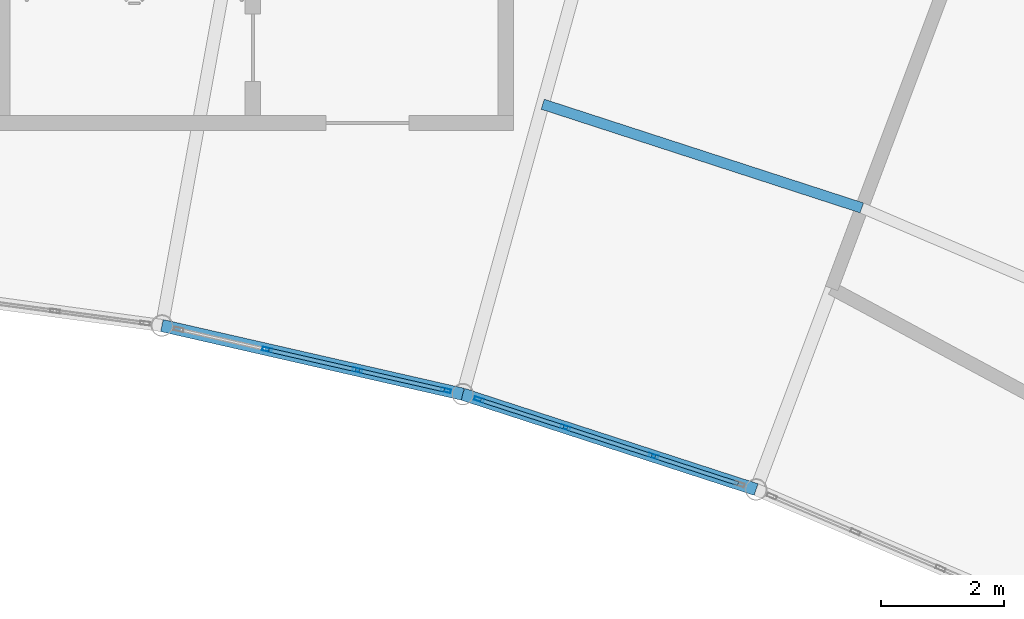
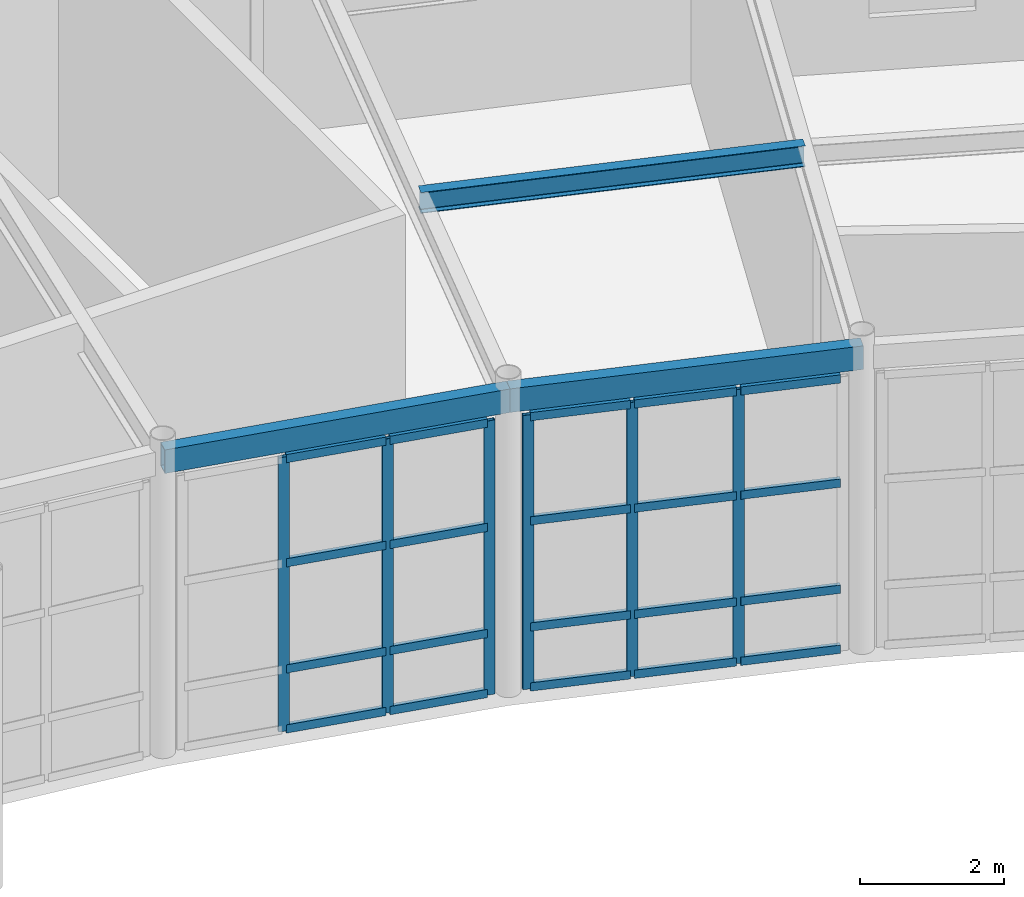
# One storey, part 49 of 87: 26 members, 3 beams, 2 elements without a shape of their own.
"""IFC4 building model written with IfcOpenShell, lengths in metres."""

from ifc_helpers import new_model, si_unit, direction, frame, origin, origin_2d, place, context, subcontext, project, spatial, hollow_rectangle, i_section, extrude, material, layer, layer_set, material_profile, profile_set, type_object, element, aggregate, save


model = new_model("IFC4")

# Units and contexts
model_context = context("Model", 3, precision=1e-05, world=origin(), true_north=direction((0.0, 1.0)))
body_context = subcontext(model_context, "Body", "Model", "MODEL_VIEW")
ifc_project = project(units=[si_unit("LENGTHUNIT", "METRE"), si_unit("AREAUNIT", "SQUARE_METRE"), si_unit("VOLUMEUNIT", "CUBIC_METRE"), si_unit("PLANEANGLEUNIT", "RADIAN"), si_unit("MASSUNIT", "GRAM", prefix="KILO")], contexts=[model_context])

# Site, building, storey
site_placement = place(None, origin())
site = spatial("IfcSite", under=ifc_project, at=site_placement, CompositionType="ELEMENT")
building_placement = place(site_placement, origin())
building = spatial("IfcBuilding", under=site, at=building_placement, Name="Selat Folded Stagehouse", CompositionType="ELEMENT")
storey_placement = place(building_placement, origin())
storey = spatial("IfcBuildingStorey", under=building, at=storey_placement, Name="L00", CompositionType="ELEMENT", Elevation=0.0)

# Curtain wall, members
ifc_material_1 = material(Name="Aluminium 6063-T6", Category="aluminium")
ifc_layer = layer(ifc_material_1, 0.18994140625)
ifc_layer_set = layer_set([ifc_layer], Name="Aluminium 6063-T6")
curtain_wall_type = type_object("IfcCurtainWallType", Name="CW-REH-ARC", PredefinedType="NOTDEFINED", material=ifc_layer_set)
curtain_wall_1_placement = place(storey_placement, origin())
curtain_wall_1 = element("IfcCurtainWall", 1, at=curtain_wall_1_placement, inside=storey, type_object=curtain_wall_type, Name="L00 curtain wall CW-REH-L00-09", PredefinedType="NOTDEFINED")
ifc_material_profile_1 = material_profile(ifc_material_1, hollow_rectangle(XDim=0.06005859375, YDim=0.159912109375, WallThickness=0.00390625, at=origin_2d()), Name="ALU 160x60x4.0")
ifc_profile_set_1 = profile_set([ifc_material_profile_1], Name="Aluminium 6063-T6")
member_type_1 = type_object("IfcMemberType", Name="CWM-MUL-160x60", PredefinedType="MULLION", material=ifc_profile_set_1)
member_1_placement = place(storey_placement, frame((107.025146484375, 92.044189453125, 0.0), z_axis=(0.0, 0.0, 1.0), x_axis=(-0.222542761079, -0.974922930026, 0.0)))
member_1 = element("IfcMember", 2, at=member_1_placement, type_object=member_type_1, Name="CW-06 mullion 1", PredefinedType="MULLION", context=body_context, shape_type="SweptSolid", body=[
    extrude(hollow_rectangle(XDim=0.06005859375, YDim=0.159912109375, WallThickness=0.00390625, at=origin_2d()), origin(), (0.0, 0.0, 1.0), 4.64990234375),
])
member_2_placement = place(storey_placement, frame((105.583984375, 92.373046875, 0.0), z_axis=(0.0, 0.0, 1.0), x_axis=(-0.222542761079, -0.974922930026, 0.0)))
member_2 = element("IfcMember", 3, at=member_2_placement, type_object=member_type_1, Name="CW-06 mullion 2", PredefinedType="MULLION", context=body_context, shape_type="SweptSolid", body=[
    extrude(hollow_rectangle(XDim=0.06005859375, YDim=0.159912109375, WallThickness=0.00390625, at=origin_2d()), origin(), (0.0, 0.0, 1.0), 4.64990234375),
])
member_3_placement = place(storey_placement, frame((104.11328125, 92.708740234375, 0.0), z_axis=(0.0, 0.0, 1.0), x_axis=(-0.222542761079, -0.974922930026, 0.0)))
member_3 = element("IfcMember", 4, at=member_3_placement, type_object=member_type_1, Name="CW-06 mullion 3", PredefinedType="MULLION", context=body_context, shape_type="SweptSolid", body=[
    extrude(hollow_rectangle(XDim=0.06005859375, YDim=0.159912109375, WallThickness=0.00390625, at=origin_2d()), origin(), (0.0, 0.0, 1.0), 4.64990234375),
])

curtain_wall_2_placement = place(storey_placement, origin())
curtain_wall_2 = element("IfcCurtainWall", 5, at=curtain_wall_2_placement, inside=storey, type_object=curtain_wall_type, Name="L00 curtain wall CW-REH-L00-10", PredefinedType="NOTDEFINED")
member_4_placement = place(storey_placement, frame((110.40478515625, 90.972412109375, 0.0), z_axis=(0.0, 0.0, 1.0), x_axis=(-0.308991620714, -0.951064760323, 0.0)))
member_4 = element("IfcMember", 6, at=member_4_placement, type_object=member_type_1, Name="CW-06 mullion 2", PredefinedType="MULLION", context=body_context, shape_type="SweptSolid", body=[
    extrude(hollow_rectangle(XDim=0.06005859375, YDim=0.159912109375, WallThickness=0.00390625, at=origin_2d()), origin(), (0.0, 0.0, 1.0), 4.64990234375),
])
member_5_placement = place(storey_placement, frame((108.97021484375, 91.4384765625, 0.0), z_axis=(0.0, 0.0, 1.0), x_axis=(-0.308991620714, -0.951064760323, 0.0)))
member_5 = element("IfcMember", 7, at=member_5_placement, type_object=member_type_1, Name="CW-06 mullion 3", PredefinedType="MULLION", context=body_context, shape_type="SweptSolid", body=[
    extrude(hollow_rectangle(XDim=0.06005859375, YDim=0.159912109375, WallThickness=0.00390625, at=origin_2d()), origin(), (0.0, 0.0, 1.0), 4.64990234375),
])
member_6_placement = place(storey_placement, frame((107.564453125, 91.895263671875, 0.0), z_axis=(0.0, 0.0, 1.0), x_axis=(-0.308991620714, -0.951064760323, 0.0)))
member_6 = element("IfcMember", 8, at=member_6_placement, type_object=member_type_1, Name="CW-06 mullion 4", PredefinedType="MULLION", context=body_context, shape_type="SweptSolid", body=[
    extrude(hollow_rectangle(XDim=0.06005859375, YDim=0.159912109375, WallThickness=0.00390625, at=origin_2d()), origin(), (0.0, 0.0, 1.0), 4.64990234375),
])

# Member
ifc_material_profile_2 = material_profile(ifc_material_1, hollow_rectangle(XDim=0.06494140625, YDim=0.139892578125, WallThickness=0.00390625, at=origin_2d()), Name="ALU 140x65x4.0")
ifc_profile_set_2 = profile_set([ifc_material_profile_2], Name="Aluminium 6063-T6")
member_type_2 = type_object("IfcMemberType", Name="CWM-TRN-140x65", PredefinedType="USERDEFINED", material=ifc_profile_set_2)
member_7_placement = place(storey_placement, frame((106.995849609375, 92.05078125, 0.032470703125), z_axis=(-0.974919361771, 0.222558392438, 0.0), x_axis=(-0.222558392438, -0.974919361771, 0.0)))
member_7 = element("IfcMember", 9, at=member_7_placement, type_object=member_type_2, Name="CW-06 transom 1.1", ObjectType="TRANSOM", PredefinedType="USERDEFINED", context=body_context, shape_type="SweptSolid", body=[
    extrude(hollow_rectangle(XDim=0.06494140625, YDim=0.139892578125, WallThickness=0.00390625, at=origin_2d()), origin(), (0.0, 0.0, 1.0), 1.41845703125),
])

member_8_placement = place(storey_placement, frame((106.995849609375, 92.05078125, 1.050048828125), z_axis=(-0.974919361771, 0.222558392438, 0.0), x_axis=(-0.222558392438, -0.974919361771, 0.0)))
member_8 = element("IfcMember", 10, at=member_8_placement, type_object=member_type_2, Name="CW-06 transom 1.2", ObjectType="TRANSOM", PredefinedType="USERDEFINED", context=body_context, shape_type="SweptSolid", body=[
    extrude(hollow_rectangle(XDim=0.06494140625, YDim=0.139892578125, WallThickness=0.00390625, at=origin_2d()), origin(), (0.0, 0.0, 1.0), 1.41845703125),
])

member_9_placement = place(storey_placement, frame((106.995849609375, 92.05078125, 2.85009765625), z_axis=(-0.974919361771, 0.222558392438, 0.0), x_axis=(-0.222558392438, -0.974919361771, 0.0)))
member_9 = element("IfcMember", 11, at=member_9_placement, type_object=member_type_2, Name="CW-06 transom 1.3", ObjectType="TRANSOM", PredefinedType="USERDEFINED", context=body_context, shape_type="SweptSolid", body=[
    extrude(hollow_rectangle(XDim=0.06494140625, YDim=0.139892578125, WallThickness=0.00390625, at=origin_2d()), origin(), (0.0, 0.0, 1.0), 1.41845703125),
])

member_10_placement = place(storey_placement, frame((106.995849609375, 92.05078125, 4.617431640625), z_axis=(-0.974919361771, 0.222558392438, 0.0), x_axis=(-0.222558392438, -0.974919361771, 0.0)))
member_10 = element("IfcMember", 12, at=member_10_placement, type_object=member_type_2, Name="CW-06 transom 1.4", ObjectType="TRANSOM", PredefinedType="USERDEFINED", context=body_context, shape_type="SweptSolid", body=[
    extrude(hollow_rectangle(XDim=0.06494140625, YDim=0.139892578125, WallThickness=0.00390625, at=origin_2d()), origin(), (0.0, 0.0, 1.0), 1.41845703125),
])

member_11_placement = place(storey_placement, frame((105.5546875, 92.3798828125, 0.032470703125), z_axis=(-0.974933771932, 0.222495259155, 0.0), x_axis=(-0.222495259155, -0.974933771932, 0.0)))
member_11 = element("IfcMember", 13, at=member_11_placement, type_object=member_type_2, Name="CW-06 transom 2.1", ObjectType="TRANSOM", PredefinedType="USERDEFINED", context=body_context, shape_type="SweptSolid", body=[
    extrude(hollow_rectangle(XDim=0.06494140625, YDim=0.139892578125, WallThickness=0.00390625, at=origin_2d()), origin(), (0.0, 0.0, 1.0), 1.448486328125),
])

member_12_placement = place(storey_placement, frame((105.5546875, 92.3798828125, 1.050048828125), z_axis=(-0.974933771932, 0.222495259155, 0.0), x_axis=(-0.222495259155, -0.974933771932, 0.0)))
member_12 = element("IfcMember", 14, at=member_12_placement, type_object=member_type_2, Name="CW-06 transom 2.2", ObjectType="TRANSOM", PredefinedType="USERDEFINED", context=body_context, shape_type="SweptSolid", body=[
    extrude(hollow_rectangle(XDim=0.06494140625, YDim=0.139892578125, WallThickness=0.00390625, at=origin_2d()), origin(), (0.0, 0.0, 1.0), 1.448486328125),
])

member_13_placement = place(storey_placement, frame((105.5546875, 92.3798828125, 2.85009765625), z_axis=(-0.974933771932, 0.222495259155, 0.0), x_axis=(-0.222495259155, -0.974933771932, 0.0)))
member_13 = element("IfcMember", 15, at=member_13_placement, type_object=member_type_2, Name="CW-06 transom 2.3", ObjectType="TRANSOM", PredefinedType="USERDEFINED", context=body_context, shape_type="SweptSolid", body=[
    extrude(hollow_rectangle(XDim=0.06494140625, YDim=0.139892578125, WallThickness=0.00390625, at=origin_2d()), origin(), (0.0, 0.0, 1.0), 1.448486328125),
])

member_14_placement = place(storey_placement, frame((105.5546875, 92.3798828125, 4.617431640625), z_axis=(-0.974933771932, 0.222495259155, 0.0), x_axis=(-0.222495259155, -0.974933771932, 0.0)))
member_14 = element("IfcMember", 16, at=member_14_placement, type_object=member_type_2, Name="CW-06 transom 2.4", ObjectType="TRANSOM", PredefinedType="USERDEFINED", context=body_context, shape_type="SweptSolid", body=[
    extrude(hollow_rectangle(XDim=0.06494140625, YDim=0.139892578125, WallThickness=0.00390625, at=origin_2d()), origin(), (0.0, 0.0, 1.0), 1.448486328125),
])

aggregate(curtain_wall_1, [member_1, member_2, member_3, member_7, member_8, member_9, member_10, member_11, member_12, member_13, member_14])

member_15_placement = place(storey_placement, frame((111.7822265625, 90.525146484375, 0.032470703125), z_axis=(-0.951065688988, 0.308988762305, 0.0), x_axis=(-0.308988762305, -0.951065688988, 0.0)))
member_15 = element("IfcMember", 17, at=member_15_placement, type_object=member_type_2, Name="CW-06 transom 1.1", ObjectType="TRANSOM", PredefinedType="USERDEFINED", context=body_context, shape_type="SweptSolid", body=[
    extrude(hollow_rectangle(XDim=0.06494140625, YDim=0.139892578125, WallThickness=0.00390625, at=origin_2d()), origin(), (0.0, 0.0, 1.0), 1.418212890625),
])

member_16_placement = place(storey_placement, frame((111.7822265625, 90.525146484375, 1.050048828125), z_axis=(-0.951065688988, 0.308988762305, 0.0), x_axis=(-0.308988762305, -0.951065688988, 0.0)))
member_16 = element("IfcMember", 18, at=member_16_placement, type_object=member_type_2, Name="CW-06 transom 1.2", ObjectType="TRANSOM", PredefinedType="USERDEFINED", context=body_context, shape_type="SweptSolid", body=[
    extrude(hollow_rectangle(XDim=0.06494140625, YDim=0.139892578125, WallThickness=0.00390625, at=origin_2d()), origin(), (0.0, 0.0, 1.0), 1.418212890625),
])

member_17_placement = place(storey_placement, frame((111.7822265625, 90.525146484375, 2.85009765625), z_axis=(-0.951065688988, 0.308988762305, 0.0), x_axis=(-0.308988762305, -0.951065688988, 0.0)))
member_17 = element("IfcMember", 19, at=member_17_placement, type_object=member_type_2, Name="CW-06 transom 1.3", ObjectType="TRANSOM", PredefinedType="USERDEFINED", context=body_context, shape_type="SweptSolid", body=[
    extrude(hollow_rectangle(XDim=0.06494140625, YDim=0.139892578125, WallThickness=0.00390625, at=origin_2d()), origin(), (0.0, 0.0, 1.0), 1.418212890625),
])

member_18_placement = place(storey_placement, frame((111.7822265625, 90.525146484375, 4.617431640625), z_axis=(-0.951065688988, 0.308988762305, 0.0), x_axis=(-0.308988762305, -0.951065688988, 0.0)))
member_18 = element("IfcMember", 20, at=member_18_placement, type_object=member_type_2, Name="CW-06 transom 1.4", ObjectType="TRANSOM", PredefinedType="USERDEFINED", context=body_context, shape_type="SweptSolid", body=[
    extrude(hollow_rectangle(XDim=0.06494140625, YDim=0.139892578125, WallThickness=0.00390625, at=origin_2d()), origin(), (0.0, 0.0, 1.0), 1.418212890625),
])

member_19_placement = place(storey_placement, frame((110.376220703125, 90.981689453125, 0.032470703125), z_axis=(-0.951066271776, 0.30898696848, 0.0), x_axis=(-0.30898696848, -0.951066271776, 0.0)))
member_19 = element("IfcMember", 21, at=member_19_placement, type_object=member_type_2, Name="CW-06 transom 2.1", ObjectType="TRANSOM", PredefinedType="USERDEFINED", context=body_context, shape_type="SweptSolid", body=[
    extrude(hollow_rectangle(XDim=0.06494140625, YDim=0.139892578125, WallThickness=0.00390625, at=origin_2d()), origin(), (0.0, 0.0, 1.0), 1.4482421875),
])

member_20_placement = place(storey_placement, frame((110.376220703125, 90.981689453125, 1.050048828125), z_axis=(-0.951066271776, 0.30898696848, 0.0), x_axis=(-0.30898696848, -0.951066271776, 0.0)))
member_20 = element("IfcMember", 22, at=member_20_placement, type_object=member_type_2, Name="CW-06 transom 2.2", ObjectType="TRANSOM", PredefinedType="USERDEFINED", context=body_context, shape_type="SweptSolid", body=[
    extrude(hollow_rectangle(XDim=0.06494140625, YDim=0.139892578125, WallThickness=0.00390625, at=origin_2d()), origin(), (0.0, 0.0, 1.0), 1.4482421875),
])

member_21_placement = place(storey_placement, frame((110.376220703125, 90.981689453125, 2.85009765625), z_axis=(-0.951066271776, 0.30898696848, 0.0), x_axis=(-0.30898696848, -0.951066271776, 0.0)))
member_21 = element("IfcMember", 23, at=member_21_placement, type_object=member_type_2, Name="CW-06 transom 2.3", ObjectType="TRANSOM", PredefinedType="USERDEFINED", context=body_context, shape_type="SweptSolid", body=[
    extrude(hollow_rectangle(XDim=0.06494140625, YDim=0.139892578125, WallThickness=0.00390625, at=origin_2d()), origin(), (0.0, 0.0, 1.0), 1.4482421875),
])

member_22_placement = place(storey_placement, frame((110.376220703125, 90.981689453125, 4.617431640625), z_axis=(-0.951066271776, 0.30898696848, 0.0), x_axis=(-0.30898696848, -0.951066271776, 0.0)))
member_22 = element("IfcMember", 24, at=member_22_placement, type_object=member_type_2, Name="CW-06 transom 2.4", ObjectType="TRANSOM", PredefinedType="USERDEFINED", context=body_context, shape_type="SweptSolid", body=[
    extrude(hollow_rectangle(XDim=0.06494140625, YDim=0.139892578125, WallThickness=0.00390625, at=origin_2d()), origin(), (0.0, 0.0, 1.0), 1.4482421875),
])

member_23_placement = place(storey_placement, frame((108.94189453125, 91.44775390625, 0.032470703125), z_axis=(-0.951065688988, 0.308988762305, 0.0), x_axis=(-0.308988762305, -0.951065688988, 0.0)))
member_23 = element("IfcMember", 25, at=member_23_placement, type_object=member_type_2, Name="CW-06 transom 3.1", ObjectType="TRANSOM", PredefinedType="USERDEFINED", context=body_context, shape_type="SweptSolid", body=[
    extrude(hollow_rectangle(XDim=0.06494140625, YDim=0.139892578125, WallThickness=0.00390625, at=origin_2d()), origin(), (0.0, 0.0, 1.0), 1.418212890625),
])

member_24_placement = place(storey_placement, frame((108.94189453125, 91.44775390625, 1.050048828125), z_axis=(-0.951065688988, 0.308988762305, 0.0), x_axis=(-0.308988762305, -0.951065688988, 0.0)))
member_24 = element("IfcMember", 26, at=member_24_placement, type_object=member_type_2, Name="CW-06 transom 3.2", ObjectType="TRANSOM", PredefinedType="USERDEFINED", context=body_context, shape_type="SweptSolid", body=[
    extrude(hollow_rectangle(XDim=0.06494140625, YDim=0.139892578125, WallThickness=0.00390625, at=origin_2d()), origin(), (0.0, 0.0, 1.0), 1.418212890625),
])

member_25_placement = place(storey_placement, frame((108.94189453125, 91.44775390625, 2.85009765625), z_axis=(-0.951065688988, 0.308988762305, 0.0), x_axis=(-0.308988762305, -0.951065688988, 0.0)))
member_25 = element("IfcMember", 27, at=member_25_placement, type_object=member_type_2, Name="CW-06 transom 3.3", ObjectType="TRANSOM", PredefinedType="USERDEFINED", context=body_context, shape_type="SweptSolid", body=[
    extrude(hollow_rectangle(XDim=0.06494140625, YDim=0.139892578125, WallThickness=0.00390625, at=origin_2d()), origin(), (0.0, 0.0, 1.0), 1.418212890625),
])

member_26_placement = place(storey_placement, frame((108.94189453125, 91.44775390625, 4.617431640625), z_axis=(-0.951065688988, 0.308988762305, 0.0), x_axis=(-0.308988762305, -0.951065688988, 0.0)))
member_26 = element("IfcMember", 28, at=member_26_placement, type_object=member_type_2, Name="CW-06 transom 3.4", ObjectType="TRANSOM", PredefinedType="USERDEFINED", context=body_context, shape_type="SweptSolid", body=[
    extrude(hollow_rectangle(XDim=0.06494140625, YDim=0.139892578125, WallThickness=0.00390625, at=origin_2d()), origin(), (0.0, 0.0, 1.0), 1.418212890625),
])

aggregate(curtain_wall_2, [member_4, member_5, member_6, member_15, member_16, member_17, member_18, member_19, member_20, member_21, member_22, member_23, member_24, member_25, member_26])

# Beams
ifc_material_2 = material(Name="Steel S355", Category="steel")
ifc_material_profile_3 = material_profile(ifc_material_2, i_section(OverallWidth=0.17138671875, OverallDepth=0.35498046875, WebThickness=0.00732421875, FlangeThickness=0.011474609375, FilletRadius=0.01025390625, at=origin_2d()), Name="UKB 356x171x51")
ifc_profile_set_3 = profile_set([ifc_material_profile_3], Name="Steel S355")
beam_type_1 = type_object("IfcBeamType", Name="JST-356x171x51", PredefinedType="JOIST", material=ifc_profile_set_3)
beam_1_placement = place(storey_placement, frame((108.601806640625, 96.705322265625, 5.00244140625), z_axis=(0.95104654486, -0.309047681612, 0.0), x_axis=(0.309047681612, 0.95104654486, 0.0)))
element("IfcBeam", 29, at=beam_1_placement, inside=storey, type_object=beam_type_1, Name="L00 curved rehearsal secondary joist 11.1", PredefinedType="JOIST", context=body_context, shape_type="SweptSolid", body=[
    extrude(i_section(OverallWidth=0.17138671875, OverallDepth=0.35498046875, WebThickness=0.00732421875, FlangeThickness=0.011474609375, FilletRadius=0.01025390625, at=origin_2d()), origin(), (0.0, 0.0, 1.0), 5.46435546875),
])
ifc_material_profile_4 = material_profile(ifc_material_2, hollow_rectangle(XDim=0.199951171875, YDim=0.39990234375, WallThickness=0.012451171875, at=origin_2d()), Name="RHS 400x200x12.5")
ifc_profile_set_4 = profile_set([ifc_material_profile_4], Name="Steel S355")
beam_type_2 = type_object("IfcBeamType", Name="SPD-EXT-400x200", PredefinedType="SPANDREL", material=ifc_profile_set_4)
beam_2_placement = place(storey_placement, frame((102.399169921875, 93.10009765625, 4.97998046875), z_axis=(0.974927211846, -0.222524002305, 0.0), x_axis=(0.222524002305, 0.974927211846, 0.0)))
element("IfcBeam", 30, at=beam_2_placement, inside=storey, type_object=beam_type_2, Name="L00 inner curved rehearsal spandrel 10", PredefinedType="SPANDREL", context=body_context, shape_type="SweptSolid", body=[
    extrude(hollow_rectangle(XDim=0.199951171875, YDim=0.39990234375, WallThickness=0.012451171875, at=origin_2d()), origin(), (0.0, 0.0, 1.0), 5.02490234375),
])
beam_3_placement = place(storey_placement, frame((107.298095703125, 91.98193359375, 4.97998046875), z_axis=(0.951056204058, -0.309017955339, 0.0), x_axis=(0.309017955339, 0.951056204058, 0.0)))
element("IfcBeam", 31, at=beam_3_placement, inside=storey, type_object=beam_type_2, Name="L00 inner curved rehearsal spandrel 11", PredefinedType="SPANDREL", context=body_context, shape_type="SweptSolid", body=[
    extrude(hollow_rectangle(XDim=0.199951171875, YDim=0.39990234375, WallThickness=0.012451171875, at=origin_2d()), origin(), (0.0, 0.0, 1.0), 5.024658203125),
])

save(model, "model.ifc")
